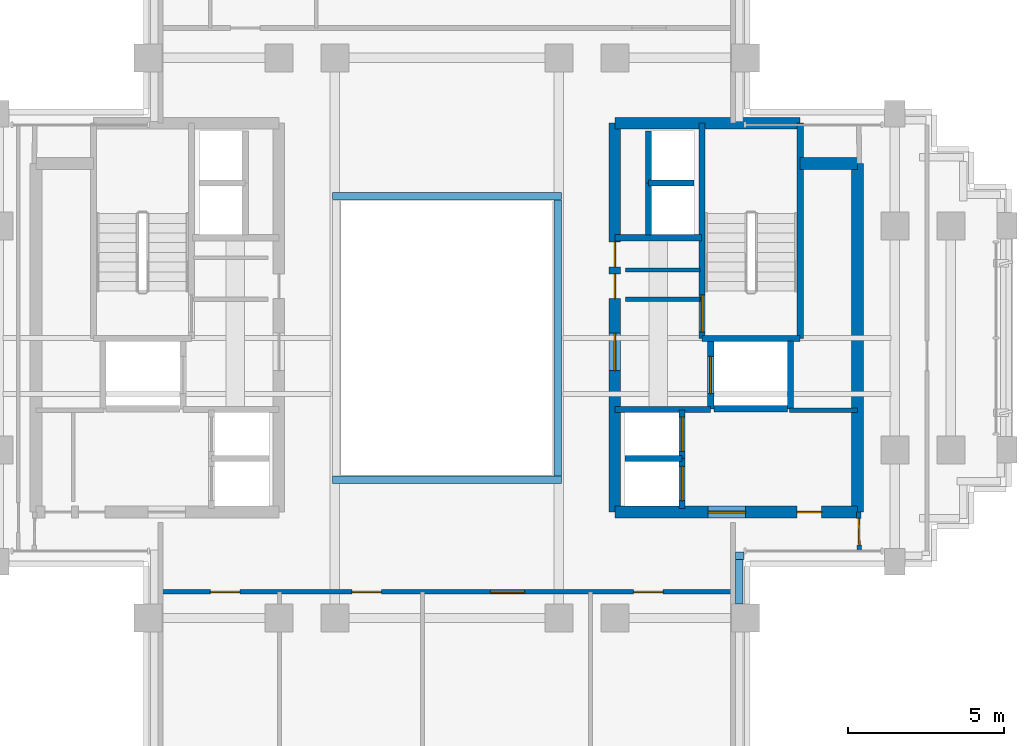
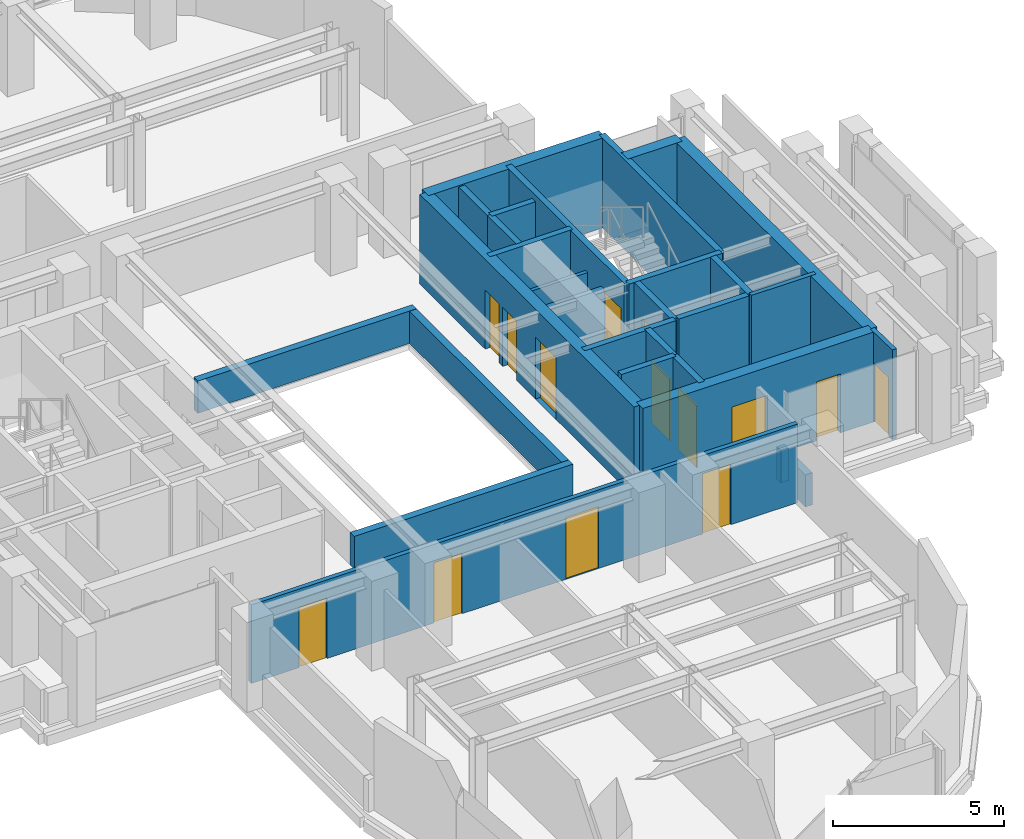
# One storey, part 7 of 11: 29 walls, 14 doors, 14 openings.
"""IFC4 building model written with IfcOpenShell, lengths in metres."""

from ifc_helpers import new_model, si_unit, direction, frame, frame_2d, origin, place, context, subcontext, project, spatial, rectangle, extrude, source, transform, mapped, material, layer, layer_set, type_object, element, fill, save


model = new_model("IFC4")

# Units and contexts
model_context = context("Model", 3, precision=1e-05, world=origin(), true_north=direction((0.0, 1.0)))
body_context = subcontext(model_context, "Body", "Model", "MODEL_VIEW")
ifc_project = project(units=[si_unit("LENGTHUNIT", "METRE"), si_unit("AREAUNIT", "SQUARE_METRE"), si_unit("VOLUMEUNIT", "CUBIC_METRE"), si_unit("PLANEANGLEUNIT", "RADIAN"), si_unit("MASSUNIT", "GRAM", prefix="KILO")], contexts=[model_context])

# Site, building, storey
site_placement = place(None, origin())
site = spatial("IfcSite", under=ifc_project, at=site_placement, CompositionType="ELEMENT")
building_placement = place(site_placement, origin())
building = spatial("IfcBuilding", under=site, at=building_placement, Name="Keilestroom Media Tower", CompositionType="ELEMENT")
storey_placement = place(building_placement, frame((0.0, 0.0, 163.800048828125)))
storey = spatial("IfcBuildingStorey", under=building, at=storey_placement, Name="L44", CompositionType="ELEMENT", Elevation=163.800048828125)

# Walls
ifc_material_1 = material(Name="Gypsum Plasterboard & Steel Stud", Category="steel")
ifc_layer_1 = layer(ifc_material_1, 0.1201171875)
ifc_layer_set_1 = layer_set([ifc_layer_1], Name="Gypsum Plasterboard & Steel Stud")
wall_type_1 = type_object("IfcWallType", Name="Interior-Partition-Wall-120", PredefinedType="PARTITIONING", material=ifc_layer_set_1)
wall_1_placement = place(storey_placement, frame((5.75, 2.179931640625, 0.0), z_axis=(0.0, 0.0, 1.0), x_axis=(1.0, 0.0, 0.0)))
element("IfcWall", 1, at=wall_1_placement, inside=storey, type_object=wall_type_1, Name="L44 Interior Wall WP-L44-CNE-N", PredefinedType="PARTITIONING", context=body_context, shape_type="SweptSolid", body=[
    extrude(rectangle(XDim=2.389892578125, YDim=0.1201171875, at=frame_2d((1.19482421875, 0.0))), origin(), (0.0, 0.0, 1.0), 2.300048828125),
])
ifc_layer_2 = layer(ifc_material_1, 0.14990234375)
ifc_layer_set_2 = layer_set([ifc_layer_2], Name="Gypsum Plasterboard & Steel Stud")
wall_type_2 = type_object("IfcWallType", Name="Interior-Partition-Wall-150", PredefinedType="PARTITIONING", material=ifc_layer_set_2)
wall_2_placement = place(storey_placement, frame((5.75, 1.239990234375, 0.0), z_axis=(0.0, 0.0, 1.0), x_axis=(1.0, 0.0, 0.0)))
element("IfcWall", 2, at=wall_2_placement, inside=storey, type_object=wall_type_2, Name="L44 Interior Wall WP-L44-FFE-TOP", PredefinedType="PARTITIONING", context=body_context, shape_type="SweptSolid", body=[
    extrude(rectangle(XDim=2.389892578125, YDim=0.14990234375, at=frame_2d((1.19482421875, 0.0))), origin(), (0.0, 0.0, 1.0), 2.300048828125),
])
wall_3_placement = place(storey_placement, frame((11.02001953125, -2.320068359375, 0.0), z_axis=(0.0, 0.0, 1.0), x_axis=(1.0, 0.0, 0.0)))
element("IfcWall", 3, at=wall_3_placement, inside=storey, type_object=wall_type_2, Name="L44 Interior Wall WP-L44-RECLE-N", PredefinedType="PARTITIONING", context=body_context, shape_type="SweptSolid", body=[
    extrude(rectangle(XDim=2.179931640625, YDim=0.14990234375, at=frame_2d((1.08984375, 0.0))), origin(), (0.0, 0.0, 1.0), 3.199951171875),
])

# Wall, openings, doors
wall_4_placement = place(storey_placement, frame((-9.199951171875, -8.159912109375, 0.0), z_axis=(0.0, 0.0, 1.0), x_axis=(1.0, 0.0, 0.0)))
wall_4 = element("IfcWall", 4, at=wall_4_placement, inside=storey, type_object=wall_type_2, Name="L44 Interior Wall WP-L44-SL-BASE", PredefinedType="PARTITIONING", context=body_context, shape_type="SweptSolid", body=[
    extrude(rectangle(XDim=18.39990234375, YDim=0.14990234375, at=frame_2d((9.199951171875, 0.0))), origin(), (0.0, 0.0, 1.0), 2.800048828125),
])
opening_1_placement = place(wall_4_placement, frame((1.60009765625, 0.0, 0.0)))
opening_1 = element("IfcOpeningElement", 5, at=opening_1_placement, cuts=wall_4, Name="Opening DI-03", PredefinedType="OPENING", context=body_context, shape_type="SweptSolid", body=[
    extrude(rectangle(XDim=0.949951171875, YDim=2.14990234375, at=frame_2d((0.47509765625, 1.074951171875))), frame((0.0, 0.0849609375, 0.0), z_axis=(0.0, -1.0, 0.0), x_axis=(1.0, 0.0, 0.0)), (0.0, 0.0, 1.0), 0.169921875),
])
opening_2_placement = place(wall_4_placement, frame((6.14990234375, 0.0, 0.0)))
opening_2 = element("IfcOpeningElement", 6, at=opening_2_placement, cuts=wall_4, Name="Opening DI-03", PredefinedType="OPENING", context=body_context, shape_type="SweptSolid", body=[
    extrude(rectangle(XDim=0.949951171875, YDim=2.14990234375, at=frame_2d((0.47509765625, 1.074951171875))), frame((0.0, 0.0849609375, 0.0), z_axis=(0.0, -1.0, 0.0), x_axis=(1.0, 0.0, 0.0)), (0.0, 0.0, 1.0), 0.169921875),
])
opening_3_placement = place(wall_4_placement, frame((10.60009765625, 0.0, 0.0)))
opening_3 = element("IfcOpeningElement", 7, at=opening_3_placement, cuts=wall_4, Name="Opening DI-04", PredefinedType="OPENING", context=body_context, shape_type="SweptSolid", body=[
    extrude(rectangle(XDim=1.10009765625, YDim=2.199951171875, at=frame_2d((0.550048828125, 1.10009765625))), frame((0.0, 0.0849609375, 0.0), z_axis=(0.0, -1.0, 0.0), x_axis=(1.0, 0.0, 0.0)), (0.0, 0.0, 1.0), 0.169921875),
])
opening_4_placement = place(wall_4_placement, frame((15.199951171875, 0.0, 0.0)))
opening_4 = element("IfcOpeningElement", 8, at=opening_4_placement, cuts=wall_4, Name="Opening DI-03", PredefinedType="OPENING", context=body_context, shape_type="SweptSolid", body=[
    extrude(rectangle(XDim=0.949951171875, YDim=2.14990234375, at=frame_2d((0.47509765625, 1.074951171875))), frame((0.0, 0.0849609375, 0.0), z_axis=(0.0, -1.0, 0.0), x_axis=(1.0, 0.0, 0.0)), (0.0, 0.0, 1.0), 0.169921875),
])
ifc_material_2 = material(Name="Lacquered European Oak Leaf", Category="wood")
door_type_1 = type_object("IfcDoorType", Name="Interior-Room-And-Suite-Door-DI-03", OperationType="NOTDEFINED", PredefinedType="DOOR", material=ifc_material_2)
shared_shape_1 = source(origin(), body_context, "Body", "SweptSolid", [
    extrude(rectangle(XDim=0.949951171875, YDim=2.14990234375, at=frame_2d((0.47509765625, 1.074951171875))), frame((0.0, 0.02490234375, 0.0), z_axis=(0.0, -1.0, 0.0), x_axis=(1.0, 0.0, 0.0)), (0.0, 0.0, 1.0), 0.050048828125),
])
door_1_placement = place(opening_1_placement, origin())
door_1 = element("IfcDoor", 9, at=door_1_placement, inside=storey, type_object=door_type_1, Name="L44 Interior Door DI-L44-DSL-Q1", OperationType="SINGLE_SWING_LEFT", OverallHeight=2.14990234375, OverallWidth=0.949951171875, PredefinedType="DOOR", context=body_context, shape_type="MappedRepresentation", body=[
    mapped(shared_shape_1, transform((0.0, 0.0, 0.0), x_axis=(1.0, 0.0, 0.0), y_axis=(0.0, 1.0, 0.0), z_axis=(0.0, 0.0, 1.0), scale=1.0)),
])
fill(opening_1, door_1)
door_2_placement = place(opening_2_placement, origin())
door_2 = element("IfcDoor", 10, at=door_2_placement, inside=storey, type_object=door_type_1, Name="L44 Interior Door DI-L44-DSL-Q2", OperationType="SINGLE_SWING_RIGHT", OverallHeight=2.14990234375, OverallWidth=0.949951171875, PredefinedType="DOOR", context=body_context, shape_type="MappedRepresentation", body=[
    mapped(shared_shape_1, transform((0.0, 0.0, 0.0), x_axis=(1.0, 0.0, 0.0), y_axis=(0.0, 1.0, 0.0), z_axis=(0.0, 0.0, 1.0), scale=1.0)),
])
fill(opening_2, door_2)
door_3_placement = place(opening_4_placement, origin())
door_3 = element("IfcDoor", 11, at=door_3_placement, inside=storey, type_object=door_type_1, Name="L44 Interior Door DI-L44-DSL-Q4", OperationType="SINGLE_SWING_RIGHT", OverallHeight=2.14990234375, OverallWidth=0.949951171875, PredefinedType="DOOR", context=body_context, shape_type="MappedRepresentation", body=[
    mapped(shared_shape_1, transform((0.0, 0.0, 0.0), x_axis=(1.0, 0.0, 0.0), y_axis=(0.0, 1.0, 0.0), z_axis=(0.0, 0.0, 1.0), scale=1.0)),
])
fill(opening_4, door_3)
ifc_material_3 = material(Name="Acoustic Glazed Aluminium Leaf", Category="aluminium")
door_type_2 = type_object("IfcDoorType", Name="Interior-Room-And-Suite-Door-DI-04", OperationType="NOTDEFINED", PredefinedType="DOOR", material=ifc_material_3)
shared_shape_2 = source(origin(), body_context, "Body", "SweptSolid", [
    extrude(rectangle(XDim=1.10009765625, YDim=2.199951171875, at=frame_2d((0.550048828125, 1.10009765625))), frame((0.0, 0.02490234375, 0.0), z_axis=(0.0, -1.0, 0.0), x_axis=(1.0, 0.0, 0.0)), (0.0, 0.0, 1.0), 0.050048828125),
])
door_4_placement = place(opening_3_placement, origin())
door_4 = element("IfcDoor", 12, at=door_4_placement, inside=storey, type_object=door_type_2, Name="L44 Interior Door DI-L44-DSL-Q3", OperationType="SINGLE_SWING_LEFT", OverallHeight=2.199951171875, OverallWidth=1.10009765625, PredefinedType="DOOR", context=body_context, shape_type="MappedRepresentation", body=[
    mapped(shared_shape_2, transform((0.0, 0.0, 0.0), x_axis=(1.0, 0.0, 0.0), y_axis=(0.0, 1.0, 0.0), z_axis=(0.0, 0.0, 1.0), scale=1.0)),
])
fill(opening_3, door_4)

# Wall, opening, door
wall_5_placement = place(storey_placement, frame((13.260009765625, -6.85009765625, 0.0), z_axis=(0.0, 0.0, 1.0), x_axis=(-0.016013571389, 0.999871774545, 0.0)))
wall_5 = element("IfcWall", 13, at=wall_5_placement, inside=storey, type_object=wall_type_2, Name="L44 Interior Wall WP-L44-EA-ENTS", PredefinedType="PARTITIONING", context=body_context, shape_type="SweptSolid", body=[
    extrude(rectangle(XDim=1.250244140625, YDim=0.14990234375, at=frame_2d((0.625, 0.0))), origin(), (0.0, 0.0, 1.0), 3.199951171875),
])
opening_5_placement = place(wall_5_placement, frame((0.199951171875, 0.0, 0.0)))
opening_5 = element("IfcOpeningElement", 14, at=opening_5_placement, cuts=wall_5, Name="Opening DI-05", PredefinedType="OPENING", context=body_context, shape_type="SweptSolid", body=[
    extrude(rectangle(XDim=0.85009765625, YDim=2.10009765625, at=frame_2d((0.425048828125, 1.050048828125))), frame((0.0, 0.0849609375, 0.0), z_axis=(0.0, -1.0, 0.0), x_axis=(1.0, 0.0, 0.0)), (0.0, 0.0, 1.0), 0.169921875),
])
ifc_material_4 = material(Name="Moisture-Resistant Oak Leaf", Category="wood")
door_type_3 = type_object("IfcDoorType", Name="Interior-En-Suite-And-Cupboard-Door-DI-05", OperationType="NOTDEFINED", PredefinedType="DOOR", material=ifc_material_4)
shared_shape_3 = source(origin(), body_context, "Body", "SweptSolid", [
    extrude(rectangle(XDim=0.85009765625, YDim=2.10009765625, at=frame_2d((0.425048828125, 1.050048828125))), frame((0.0, 0.02490234375, 0.0), z_axis=(0.0, -1.0, 0.0), x_axis=(1.0, 0.0, 0.0)), (0.0, 0.0, 1.0), 0.050048828125),
])
door_5_placement = place(opening_5_placement, origin())
door_5 = element("IfcDoor", 15, at=door_5_placement, inside=storey, type_object=door_type_3, Name="L44 Interior Door DI-L44-DEA-W", OperationType="SINGLE_SWING_RIGHT", OverallHeight=2.10009765625, OverallWidth=0.85009765625, PredefinedType="DOOR", context=body_context, shape_type="MappedRepresentation", body=[
    mapped(shared_shape_3, transform((0.0, 0.0, 0.0), x_axis=(1.0, 0.0, 0.0), y_axis=(0.0, 1.0, 0.0), z_axis=(0.0, 0.0, 1.0), scale=1.0)),
])
fill(opening_5, door_5)

# Wall
ifc_material_5 = material(Name="Concrete C55/67", Category="concrete")
ifc_layer_3 = layer(ifc_material_5, 0.3798828125)
ifc_layer_set_3 = layer_set([ifc_layer_3], Name="Concrete C55/67")
wall_type_3 = type_object("IfcWallType", Name="Reinforced-Concrete-Core-Shear-Wall-380", PredefinedType="SHEAR", material=ifc_layer_set_3)
wall_6_placement = place(storey_placement, frame((13.199951171875, -5.60009765625, 0.0), z_axis=(0.0, 0.0, 1.0), x_axis=(0.0, 1.0, 0.0)))
element("IfcWall", 16, at=wall_6_placement, inside=storey, type_object=wall_type_3, Name="L44 Core Shear Wall WL-L44-CORE-E-OUT", PredefinedType="SHEAR", context=body_context, shape_type="SweptSolid", body=[
    extrude(rectangle(XDim=11.2001953125, YDim=0.3798828125, at=frame_2d((5.60009765625, 0.0))), origin(), (0.0, 0.0, 1.0), 3.199951171875),
])

# Wall, openings, doors
wall_7_placement = place(storey_placement, frame((5.39990234375, -5.60009765625, 0.0), z_axis=(0.0, 0.0, 1.0), x_axis=(0.0, 1.0, 0.0)))
wall_7 = element("IfcWall", 17, at=wall_7_placement, inside=storey, type_object=wall_type_3, Name="L44 Core Shear Wall WL-L44-CORE-E-IN", PredefinedType="SHEAR", context=body_context, shape_type="SweptSolid", body=[
    extrude(rectangle(XDim=12.5, YDim=0.3798828125, at=frame_2d((6.25, 0.0))), origin(), (0.0, 0.0, 1.0), 3.199951171875),
])
opening_6_placement = place(wall_7_placement, frame((4.550048828125, 0.0, 0.0)))
opening_6 = element("IfcOpeningElement", 18, at=opening_6_placement, cuts=wall_7, Name="Opening DI-02", PredefinedType="OPENING", context=body_context, shape_type="SweptSolid", body=[
    extrude(rectangle(XDim=1.199951171875, YDim=2.199951171875, at=frame_2d((0.60009765625, 1.10009765625))), frame((0.0, 0.199951171875, 0.0), z_axis=(0.0, -1.0, 0.0), x_axis=(1.0, 0.0, 0.0)), (0.0, 0.0, 1.0), 0.39990234375),
])
opening_7_placement = place(wall_7_placement, frame((6.860107421875, 0.0, 0.0)))
opening_7 = element("IfcOpeningElement", 19, at=opening_7_placement, cuts=wall_7, Name="Opening DI-06", PredefinedType="OPENING", context=body_context, shape_type="SweptSolid", body=[
    extrude(rectangle(XDim=0.800048828125, YDim=2.10009765625, at=frame_2d((0.39990234375, 1.050048828125))), frame((0.0, 0.199951171875, 0.0), z_axis=(0.0, -1.0, 0.0), x_axis=(1.0, 0.0, 0.0)), (0.0, 0.0, 1.0), 0.39990234375),
])
opening_8_placement = place(wall_7_placement, frame((7.8798828125, 0.0, 0.0)))
opening_8 = element("IfcOpeningElement", 20, at=opening_8_placement, cuts=wall_7, Name="Opening DI-06", PredefinedType="OPENING", context=body_context, shape_type="SweptSolid", body=[
    extrude(rectangle(XDim=0.800048828125, YDim=2.10009765625, at=frame_2d((0.39990234375, 1.050048828125))), frame((0.0, 0.199951171875, 0.0), z_axis=(0.0, -1.0, 0.0), x_axis=(1.0, 0.0, 0.0)), (0.0, 0.0, 1.0), 0.39990234375),
])
ifc_material_6 = material(Name="Powder-Coated Steel Fire Leaf", Category="steel")
door_type_4 = type_object("IfcDoorType", Name="Interior-Compartment-Fire-Door-DI-02", OperationType="NOTDEFINED", PredefinedType="DOOR", material=ifc_material_6)
shared_shape_4 = source(origin(), body_context, "Body", "SweptSolid", [
    extrude(rectangle(XDim=1.199951171875, YDim=2.199951171875, at=frame_2d((0.60009765625, 1.10009765625))), frame((0.0, 0.02490234375, 0.0), z_axis=(0.0, -1.0, 0.0), x_axis=(1.0, 0.0, 0.0)), (0.0, 0.0, 1.0), 0.050048828125),
])
door_6_placement = place(opening_6_placement, origin())
door_6 = element("IfcDoor", 21, at=door_6_placement, inside=storey, type_object=door_type_4, Name="L44 E Firefighting Lobby Door", OperationType="SINGLE_SWING_LEFT", OverallHeight=2.199951171875, OverallWidth=1.199951171875, PredefinedType="DOOR", context=body_context, shape_type="MappedRepresentation", body=[
    mapped(shared_shape_4, transform((0.0, 0.0, 0.0), x_axis=(1.0, 0.0, 0.0), y_axis=(0.0, 1.0, 0.0), z_axis=(0.0, 0.0, 1.0), scale=1.0)),
])
fill(opening_6, door_6)
ifc_material_7 = material(Name="Powder-Coated Steel Service Leaf", Category="steel")
door_type_5 = type_object("IfcDoorType", Name="Interior-Riser-Access-Door-DI-06", OperationType="NOTDEFINED", PredefinedType="DOOR", material=ifc_material_7)
shared_shape_5 = source(origin(), body_context, "Body", "SweptSolid", [
    extrude(rectangle(XDim=0.800048828125, YDim=2.10009765625, at=frame_2d((0.39990234375, 1.050048828125))), frame((0.0, 0.02490234375, 0.0), z_axis=(0.0, -1.0, 0.0), x_axis=(1.0, 0.0, 0.0)), (0.0, 0.0, 1.0), 0.050048828125),
])
door_7_placement = place(opening_7_placement, origin())
door_7 = element("IfcDoor", 22, at=door_7_placement, inside=storey, type_object=door_type_5, Name="L44 East Core Telecom Door", OperationType="SINGLE_SWING_RIGHT", OverallHeight=2.10009765625, OverallWidth=0.800048828125, PredefinedType="DOOR", context=body_context, shape_type="MappedRepresentation", body=[
    mapped(shared_shape_5, transform((0.0, 0.0, 0.0), x_axis=(1.0, 0.0, 0.0), y_axis=(0.0, 1.0, 0.0), z_axis=(0.0, 0.0, 1.0), scale=1.0)),
])
fill(opening_7, door_7)
door_8_placement = place(opening_8_placement, origin())
door_8 = element("IfcDoor", 23, at=door_8_placement, inside=storey, type_object=door_type_5, Name="L44 East Core Closet Door", OperationType="SINGLE_SWING_RIGHT", OverallHeight=2.10009765625, OverallWidth=0.800048828125, PredefinedType="DOOR", context=body_context, shape_type="MappedRepresentation", body=[
    mapped(shared_shape_5, transform((0.0, 0.0, 0.0), x_axis=(1.0, 0.0, 0.0), y_axis=(0.0, 1.0, 0.0), z_axis=(0.0, 0.0, 1.0), scale=1.0)),
])
fill(opening_8, door_8)

# Walls
wall_8_placement = place(storey_placement, frame((5.39990234375, 6.89990234375, 0.0), z_axis=(0.0, 0.0, 1.0), x_axis=(1.0, 0.0, 0.0)))
element("IfcWall", 24, at=wall_8_placement, inside=storey, type_object=wall_type_3, Name="L44 Core Shear Wall WL-L44-CORE-E-N", PredefinedType="SHEAR", context=body_context, shape_type="SweptSolid", body=[
    extrude(rectangle(XDim=5.9560546875, YDim=0.3798828125, at=frame_2d((2.97802734375, 0.0))), origin(), (0.0, 0.0, 1.0), 3.199951171875),
])
wall_9_placement = place(storey_placement, frame((11.35595703125, 5.60009765625, 0.0), z_axis=(0.0, 0.0, 1.0), x_axis=(1.0, 0.0, 0.0)))
element("IfcWall", 25, at=wall_9_placement, inside=storey, type_object=wall_type_3, Name="L44 Core Shear Wall WL-L44-CNE-N", PredefinedType="SHEAR", context=body_context, shape_type="SweptSolid", body=[
    extrude(rectangle(XDim=1.843994140625, YDim=0.3798828125, at=frame_2d((0.921875, 0.0))), origin(), (0.0, 0.0, 1.0), 3.199951171875),
])

# Wall, openings, doors
wall_10_placement = place(storey_placement, frame((5.39990234375, -5.60009765625, 0.0), z_axis=(0.0, 0.0, 1.0), x_axis=(1.0, 0.0, 0.0)))
wall_10 = element("IfcWall", 26, at=wall_10_placement, inside=storey, type_object=wall_type_3, Name="L44 Core Shear Wall WL-L44-CORE-E-S", PredefinedType="SHEAR", context=body_context, shape_type="SweptSolid", body=[
    extrude(rectangle(XDim=7.800048828125, YDim=0.3798828125, at=frame_2d((3.89990234375, 0.0))), origin(), (0.0, 0.0, 1.0), 3.199951171875),
])
opening_9_placement = place(wall_10_placement, frame((3.0, 0.0, 0.0)))
opening_9 = element("IfcOpeningElement", 27, at=opening_9_placement, cuts=wall_10, Name="Opening DI-02", PredefinedType="OPENING", context=body_context, shape_type="SweptSolid", body=[
    extrude(rectangle(XDim=1.199951171875, YDim=2.199951171875, at=frame_2d((0.60009765625, 1.10009765625))), frame((0.0, 0.199951171875, 0.0), z_axis=(0.0, -1.0, 0.0), x_axis=(1.0, 0.0, 0.0)), (0.0, 0.0, 1.0), 0.39990234375),
])
opening_10_placement = place(wall_10_placement, frame((5.85009765625, 0.0, 0.0)))
opening_10 = element("IfcOpeningElement", 28, at=opening_10_placement, cuts=wall_10, Name="Opening DI-06", PredefinedType="OPENING", context=body_context, shape_type="SweptSolid", body=[
    extrude(rectangle(XDim=0.800048828125, YDim=2.10009765625, at=frame_2d((0.39990234375, 1.050048828125))), frame((0.0, 0.199951171875, 0.0), z_axis=(0.0, -1.0, 0.0), x_axis=(1.0, 0.0, 0.0)), (0.0, 0.0, 1.0), 0.39990234375),
])
door_9_placement = place(opening_9_placement, origin())
door_9 = element("IfcDoor", 29, at=door_9_placement, inside=storey, type_object=door_type_4, Name="L44 E Passenger Lift Lobby Door", OperationType="SINGLE_SWING_RIGHT", OverallHeight=2.199951171875, OverallWidth=1.199951171875, PredefinedType="DOOR", context=body_context, shape_type="MappedRepresentation", body=[
    mapped(shared_shape_4, transform((0.0, 0.0, 0.0), x_axis=(1.0, 0.0, 0.0), y_axis=(0.0, 1.0, 0.0), z_axis=(0.0, 0.0, 1.0), scale=1.0)),
])
fill(opening_9, door_9)
door_10_placement = place(opening_10_placement, origin())
door_10 = element("IfcDoor", 30, at=door_10_placement, inside=storey, type_object=door_type_5, Name="L44 Reclaimed East Core Room Door", OperationType="SINGLE_SWING_RIGHT", OverallHeight=2.10009765625, OverallWidth=0.800048828125, PredefinedType="DOOR", context=body_context, shape_type="MappedRepresentation", body=[
    mapped(shared_shape_5, transform((0.0, 0.0, 0.0), x_axis=(1.0, 0.0, 0.0), y_axis=(0.0, 1.0, 0.0), z_axis=(0.0, 0.0, 1.0), scale=1.0)),
])
fill(opening_10, door_10)

# Walls
ifc_material_8 = material(Name="Concrete C50/60", Category="concrete")
ifc_layer_4 = layer(ifc_material_8, 0.199951171875)
ifc_layer_set_4 = layer_set([ifc_layer_4], Name="Concrete C50/60")
wall_type_4 = type_object("IfcWallType", Name="Reinforced-Concrete-Shaft-Wall-200", PredefinedType="SOLIDWALL", material=ifc_layer_set_4)
wall_11_placement = place(storey_placement, frame((5.39990234375, 3.219970703125, 0.0), z_axis=(0.0, 0.0, 1.0), x_axis=(1.0, 0.0, 0.0)))
element("IfcWall", 31, at=wall_11_placement, inside=storey, type_object=wall_type_4, Name="L44 Core Shear Wall WL-L44-CORE-E-FFN", PredefinedType="SOLIDWALL", context=body_context, shape_type="SweptSolid", body=[
    extrude(rectangle(XDim=2.780029296875, YDim=0.199951171875, at=frame_2d((1.39013671875, 0.0))), origin(), (0.0, 0.0, 1.0), 3.199951171875),
])
wall_12_placement = place(storey_placement, frame((5.39990234375, -2.300048828125, 0.0), z_axis=(0.0, 0.0, 1.0), x_axis=(1.0, 0.0, 0.0)))
element("IfcWall", 32, at=wall_12_placement, inside=storey, type_object=wall_type_4, Name="L44 Core Shear Wall WL-L44-CORE-E-FFS", PredefinedType="SOLIDWALL", context=body_context, shape_type="SweptSolid", body=[
    extrude(rectangle(XDim=3.080078125, YDim=0.199951171875, at=frame_2d((1.5400390625, 0.0))), origin(), (0.0, 0.0, 1.0), 3.199951171875),
])

# Wall, opening, door
wall_13_placement = place(storey_placement, frame((8.2041015625, -0.01611328125, 0.0), z_axis=(0.0, 0.0, 1.0), x_axis=(0.0, 1.0, 0.0)))
wall_13 = element("IfcWall", 33, at=wall_13_placement, inside=storey, type_object=wall_type_4, Name="L44 Core Shear Wall WL-L44-STW-E-NEAR", PredefinedType="SOLIDWALL", context=body_context, shape_type="SweptSolid", body=[
    extrude(rectangle(XDim=6.916015625, YDim=0.199951171875, at=frame_2d((3.4580078125, 0.0))), origin(), (0.0, 0.0, 1.0), 3.199951171875),
])
opening_11_placement = place(wall_13_placement, frame((0.199951171875, 0.0, 0.0)))
opening_11 = element("IfcOpeningElement", 34, at=opening_11_placement, cuts=wall_13, Name="Opening DI-01S", PredefinedType="OPENING", context=body_context, shape_type="SweptSolid", body=[
    extrude(rectangle(XDim=1.199951171875, YDim=2.199951171875, at=frame_2d((0.60009765625, 1.10009765625))), frame((0.0, 0.10986328125, 0.0), z_axis=(0.0, -1.0, 0.0), x_axis=(1.0, 0.0, 0.0)), (0.0, 0.0, 1.0), 0.219970703125),
])
door_type_6 = type_object("IfcDoorType", Name="Interior-Stair-And-Core-Fire-Door-DI-01", OperationType="NOTDEFINED", PredefinedType="DOOR", material=ifc_material_6)
door_11_placement = place(opening_11_placement, origin())
door_11 = element("IfcDoor", 35, at=door_11_placement, inside=storey, type_object=door_type_6, Name="L44 Escape Stair ST-2 Fire Door", OperationType="SINGLE_SWING_RIGHT", OverallHeight=2.199951171875, OverallWidth=1.199951171875, PredefinedType="DOOR", context=body_context, shape_type="MappedRepresentation", body=[
    mapped(shared_shape_4, transform((0.0, 0.0, 0.0), x_axis=(1.0, 0.0, 0.0), y_axis=(0.0, 1.0, 0.0), z_axis=(0.0, 0.0, 1.0), scale=1.0)),
])
fill(opening_11, door_11)

# Walls
wall_14_placement = place(storey_placement, frame((11.35595703125, -0.01611328125, 0.0), z_axis=(0.0, 0.0, 1.0), x_axis=(0.0, 1.0, 0.0)))
element("IfcWall", 36, at=wall_14_placement, inside=storey, type_object=wall_type_4, Name="L44 Core Shear Wall WL-L44-STW-E-FAR", PredefinedType="SOLIDWALL", context=body_context, shape_type="SweptSolid", body=[
    extrude(rectangle(XDim=6.916015625, YDim=0.199951171875, at=frame_2d((3.4580078125, 0.0))), origin(), (0.0, 0.0, 1.0), 3.199951171875),
])
wall_15_placement = place(storey_placement, frame((8.2041015625, -0.01611328125, 0.0), z_axis=(0.0, 0.0, 1.0), x_axis=(1.0, 0.0, 0.0)))
element("IfcWall", 37, at=wall_15_placement, inside=storey, type_object=wall_type_4, Name="L44 Core Shear Wall WL-L44-STW-E-S", PredefinedType="SOLIDWALL", context=body_context, shape_type="SweptSolid", body=[
    extrude(rectangle(XDim=3.15185546875, YDim=0.199951171875, at=frame_2d((1.575927734375, 0.0))), origin(), (0.0, 0.0, 1.0), 3.199951171875),
])

# Wall, opening, door
wall_16_placement = place(storey_placement, frame((8.47998046875, -2.280029296875, 0.0), z_axis=(0.0, 0.0, 1.0), x_axis=(0.0, 1.0, 0.0)))
wall_16 = element("IfcWall", 38, at=wall_16_placement, inside=storey, type_object=wall_type_4, Name="L44 Core Shear Wall WL-L44-LSH-FFL-2-W", PredefinedType="SOLIDWALL", context=body_context, shape_type="SweptSolid", body=[
    extrude(rectangle(XDim=2.179931640625, YDim=0.199951171875, at=frame_2d((1.08984375, 0.0))), origin(), (0.0, 0.0, 1.0), 3.199951171875),
])
opening_12_placement = place(wall_16_placement, frame((0.489990234375, 0.0, 0.0)))
opening_12 = element("IfcOpeningElement", 39, at=opening_12_placement, cuts=wall_16, Name="Opening LD-02", PredefinedType="OPENING", context=body_context, shape_type="SweptSolid", body=[
    extrude(rectangle(XDim=1.199951171875, YDim=2.199951171875, at=frame_2d((0.60009765625, 1.10009765625))), frame((0.0, 0.10986328125, 0.0), z_axis=(0.0, -1.0, 0.0), x_axis=(1.0, 0.0, 0.0)), (0.0, 0.0, 1.0), 0.219970703125),
])
ifc_material_9 = material(Name="Brushed Stainless Steel Sliding Leaf", Category="steel")
door_type_7 = type_object("IfcDoorType", Name="Lift-Landing-Sliding-Door-LD-02", OperationType="SLIDING_TO_RIGHT", PredefinedType="DOOR", material=ifc_material_9)
door_12_placement = place(opening_12_placement, origin())
door_12 = element("IfcDoor", 40, at=door_12_placement, inside=storey, type_object=door_type_7, Name="L44 Lift FFL-2 Landing Sliding Door", OperationType="SLIDING_TO_RIGHT", OverallHeight=2.199951171875, OverallWidth=1.199951171875, PredefinedType="DOOR", context=body_context, shape_type="MappedRepresentation", body=[
    mapped(shared_shape_4, transform((0.0, 0.0, 0.0), x_axis=(1.0, 0.0, 0.0), y_axis=(0.0, 1.0, 0.0), z_axis=(0.0, 0.0, 1.0), scale=1.0)),
])
fill(opening_12, door_12)

# Walls
wall_17_placement = place(storey_placement, frame((11.050048828125, -2.280029296875, 0.0), z_axis=(0.0, 0.0, 1.0), x_axis=(0.0, 1.0, 0.0)))
element("IfcWall", 41, at=wall_17_placement, inside=storey, type_object=wall_type_4, Name="L44 Core Shear Wall WL-L44-LSH-FFL-2-E", PredefinedType="SOLIDWALL", context=body_context, shape_type="SweptSolid", body=[
    extrude(rectangle(XDim=2.179931640625, YDim=0.199951171875, at=frame_2d((1.08984375, 0.0))), origin(), (0.0, 0.0, 1.0), 3.199951171875),
])
wall_18_placement = place(storey_placement, frame((8.583984375, -2.280029296875, 0.0), z_axis=(0.0, 0.0, 1.0), x_axis=(1.0, 0.0, 0.0)))
element("IfcWall", 42, at=wall_18_placement, inside=storey, type_object=wall_type_4, Name="L44 Core Shear Wall WL-L44-LSH-FFL-2-S", PredefinedType="SOLIDWALL", context=body_context, shape_type="SweptSolid", body=[
    extrude(rectangle(XDim=2.362060546875, YDim=0.199951171875, at=frame_2d((1.18115234375, 0.0))), origin(), (0.0, 0.0, 1.0), 3.199951171875),
])

# Wall, opening, door
wall_19_placement = place(storey_placement, frame((7.56005859375, -5.47998046875, 0.0), z_axis=(0.0, 0.0, 1.0), x_axis=(0.0, 1.0, 0.0)))
wall_19 = element("IfcWall", 43, at=wall_19_placement, inside=storey, type_object=wall_type_4, Name="L44 Core Shear Wall WL-L44-LSH-PL-M3-E", PredefinedType="SOLIDWALL", context=body_context, shape_type="SweptSolid", body=[
    extrude(rectangle(XDim=1.60009765625, YDim=0.199951171875, at=frame_2d((0.800048828125, 0.0))), origin(), (0.0, 0.0, 1.0), 3.199951171875),
])
opening_13_placement = place(wall_19_placement, frame((0.25, 0.0, 0.0)))
opening_13 = element("IfcOpeningElement", 44, at=opening_13_placement, cuts=wall_19, Name="Opening LD-01", PredefinedType="OPENING", context=body_context, shape_type="SweptSolid", body=[
    extrude(rectangle(XDim=1.10009765625, YDim=2.199951171875, at=frame_2d((0.550048828125, 1.10009765625))), frame((0.0, 0.10986328125, 0.0), z_axis=(0.0, -1.0, 0.0), x_axis=(1.0, 0.0, 0.0)), (0.0, 0.0, 1.0), 0.219970703125),
])
door_type_8 = type_object("IfcDoorType", Name="Lift-Landing-Sliding-Door-LD-01", OperationType="SLIDING_TO_LEFT", PredefinedType="DOOR", material=ifc_material_9)
door_13_placement = place(opening_13_placement, origin())
door_13 = element("IfcDoor", 45, at=door_13_placement, inside=storey, type_object=door_type_8, Name="L44 Lift PL-M3 Landing Sliding Door", OperationType="SLIDING_TO_LEFT", OverallHeight=2.199951171875, OverallWidth=1.10009765625, PredefinedType="DOOR", context=body_context, shape_type="MappedRepresentation", body=[
    mapped(shared_shape_2, transform((0.0, 0.0, 0.0), x_axis=(1.0, 0.0, 0.0), y_axis=(0.0, 1.0, 0.0), z_axis=(0.0, 0.0, 1.0), scale=1.0)),
])
fill(opening_13, door_13)

# Wall
wall_20_placement = place(storey_placement, frame((5.719970703125, -3.8798828125, 0.0), z_axis=(0.0, 0.0, 1.0), x_axis=(1.0, 0.0, 0.0)))
element("IfcWall", 46, at=wall_20_placement, inside=storey, type_object=wall_type_4, Name="L44 Core Shear Wall WL-L44-LSH-PL-M3-N", PredefinedType="SOLIDWALL", context=body_context, shape_type="SweptSolid", body=[
    extrude(rectangle(XDim=1.840087890625, YDim=0.199951171875, at=frame_2d((0.919921875, 0.0))), origin(), (0.0, 0.0, 1.0), 3.199951171875),
])

# Wall, opening, door
wall_21_placement = place(storey_placement, frame((7.56005859375, -3.8798828125, 0.0), z_axis=(0.0, 0.0, 1.0), x_axis=(0.0, 1.0, 0.0)))
wall_21 = element("IfcWall", 47, at=wall_21_placement, inside=storey, type_object=wall_type_4, Name="L44 Core Shear Wall WL-L44-LSH-PL-M4-E", PredefinedType="SOLIDWALL", context=body_context, shape_type="SweptSolid", body=[
    extrude(rectangle(XDim=1.559814453125, YDim=0.199951171875, at=frame_2d((0.77978515625, 0.0))), origin(), (0.0, 0.0, 1.0), 3.199951171875),
])
opening_14_placement = place(wall_21_placement, frame((0.22998046875, 0.0, 0.0)))
opening_14 = element("IfcOpeningElement", 48, at=opening_14_placement, cuts=wall_21, Name="Opening LD-01", PredefinedType="OPENING", context=body_context, shape_type="SweptSolid", body=[
    extrude(rectangle(XDim=1.10009765625, YDim=2.199951171875, at=frame_2d((0.550048828125, 1.10009765625))), frame((0.0, 0.10986328125, 0.0), z_axis=(0.0, -1.0, 0.0), x_axis=(1.0, 0.0, 0.0)), (0.0, 0.0, 1.0), 0.219970703125),
])
door_14_placement = place(opening_14_placement, origin())
door_14 = element("IfcDoor", 49, at=door_14_placement, inside=storey, type_object=door_type_8, Name="L44 Lift PL-M4 Landing Sliding Door", OperationType="SLIDING_TO_LEFT", OverallHeight=2.199951171875, OverallWidth=1.10009765625, PredefinedType="DOOR", context=body_context, shape_type="MappedRepresentation", body=[
    mapped(shared_shape_2, transform((0.0, 0.0, 0.0), x_axis=(1.0, 0.0, 0.0), y_axis=(0.0, 1.0, 0.0), z_axis=(0.0, 0.0, 1.0), scale=1.0)),
])
fill(opening_14, door_14)

# Walls
wall_22_placement = place(storey_placement, frame((6.47998046875, 3.300048828125, 0.0), z_axis=(0.0, 0.0, 1.0), x_axis=(0.0, 1.0, 0.0)))
element("IfcWall", 50, at=wall_22_placement, inside=storey, type_object=wall_type_4, Name="L44 Core Shear Wall WL-L44-LSH-PL-H3-W", PredefinedType="SOLIDWALL", context=body_context, shape_type="SweptSolid", body=[
    extrude(rectangle(XDim=1.679931640625, YDim=0.199951171875, at=frame_2d((0.83984375, 0.0))), origin(), (0.0, 0.0, 1.0), 3.199951171875),
])
wall_23_placement = place(storey_placement, frame((6.47998046875, 4.97998046875, 0.0), z_axis=(0.0, 0.0, 1.0), x_axis=(1.0, 0.0, 0.0)))
element("IfcWall", 51, at=wall_23_placement, inside=storey, type_object=wall_type_4, Name="L44 Core Shear Wall WL-L44-LSH-PL-H3-N", PredefinedType="SOLIDWALL", context=body_context, shape_type="SweptSolid", body=[
    extrude(rectangle(XDim=1.469970703125, YDim=0.199951171875, at=frame_2d((0.73486328125, 0.0))), origin(), (0.0, 0.0, 1.0), 3.199951171875),
])
wall_24_placement = place(storey_placement, frame((6.47998046875, 4.97998046875, 0.0), z_axis=(0.0, 0.0, 1.0), x_axis=(0.0, 1.0, 0.0)))
element("IfcWall", 52, at=wall_24_placement, inside=storey, type_object=wall_type_4, Name="L44 Core Shear Wall WL-L44-LSH-PL-H4-W", PredefinedType="SOLIDWALL", context=body_context, shape_type="SweptSolid", body=[
    extrude(rectangle(XDim=1.669921875, YDim=0.199951171875, at=frame_2d((0.8349609375, 0.0))), origin(), (0.0, 0.0, 1.0), 3.199951171875),
])
ifc_material_10 = material(Name="Precast concrete C40/50", Category="concrete")
ifc_layer_5 = layer(ifc_material_10, 0.239990234375)
ifc_layer_set_5 = layer_set([ifc_layer_5], Name="Precast concrete C40/50")
wall_type_5 = type_object("IfcWallType", Name="Roof-And-Terrace-Parapet-Wall-240", PredefinedType="PARAPET", material=ifc_layer_set_5)
wall_25_placement = place(storey_placement, frame((9.547119140625, -7.0, 0.0), z_axis=(0.0, 0.0, 1.0), x_axis=(-1.0, 0.0, 0.0)))
element("IfcWall", 53, at=wall_25_placement, inside=storey, type_object=wall_type_5, Name="L44 Perimeter Edge Parapet Wall 07", PredefinedType="PARAPET", context=body_context, shape_type="SweptSolid", body=[
    extrude(rectangle(XDim=0.26904296875, YDim=0.239990234375, at=frame_2d((0.134521484375, 0.0))), origin(), (0.0, 0.0, 1.0), 1.14990234375),
])
wall_26_placement = place(storey_placement, frame((9.39990234375, -7.123046875, 0.0), z_axis=(0.0, 0.0, 1.0), x_axis=(0.0, -1.0, 0.0)))
element("IfcWall", 54, at=wall_26_placement, inside=storey, type_object=wall_type_5, Name="L44 Perimeter Edge Parapet Wall 08", PredefinedType="PARAPET", context=body_context, shape_type="SweptSolid", body=[
    extrude(rectangle(XDim=1.424072265625, YDim=0.239990234375, at=frame_2d((0.7119140625, 0.0))), origin(), (0.0, 0.0, 1.0), 1.14990234375),
])
for number, where, z_axis, x_axis, name in (
    (55, (-3.679931640625, -4.56005859375, 0.0), (0.0, 0.0, 1.0), (1.0, 0.0, 0.0), "L44 Central Atrium Guard Parapet S"),
    (56, (-3.679931640625, 4.56005859375, 0.0), (0.0, 0.0, 1.0), (1.0, 0.0, 0.0), "L44 Central Atrium Guard Parapet N"),
):
    element("IfcWall", number, at=place(storey_placement, frame(where, z_axis=z_axis, x_axis=x_axis)), inside=storey, type_object=wall_type_5, Name=name, PredefinedType="PARAPET", context=body_context, shape_type="SweptSolid", body=[
        extrude(rectangle(XDim=7.35986328125, YDim=0.239990234375, at=frame_2d((3.679931640625, 0.0))), origin(), (0.0, 0.0, 1.0), 1.14990234375),
    ])
wall_27_placement = place(storey_placement, frame((3.56005859375, -4.43505859375, 0.0), z_axis=(0.0, 0.0, 1.0), x_axis=(0.0, 1.0, 0.0)))
element("IfcWall", 57, at=wall_27_placement, inside=storey, type_object=wall_type_5, Name="L44 Central Atrium Guard Parapet E", PredefinedType="PARAPET", context=body_context, shape_type="SweptSolid", body=[
    extrude(rectangle(XDim=8.8701171875, YDim=0.239990234375, at=frame_2d((4.43505859375, 0.0))), origin(), (0.0, 0.0, 1.0), 1.14990234375),
])

save(model, "model.ifc")
